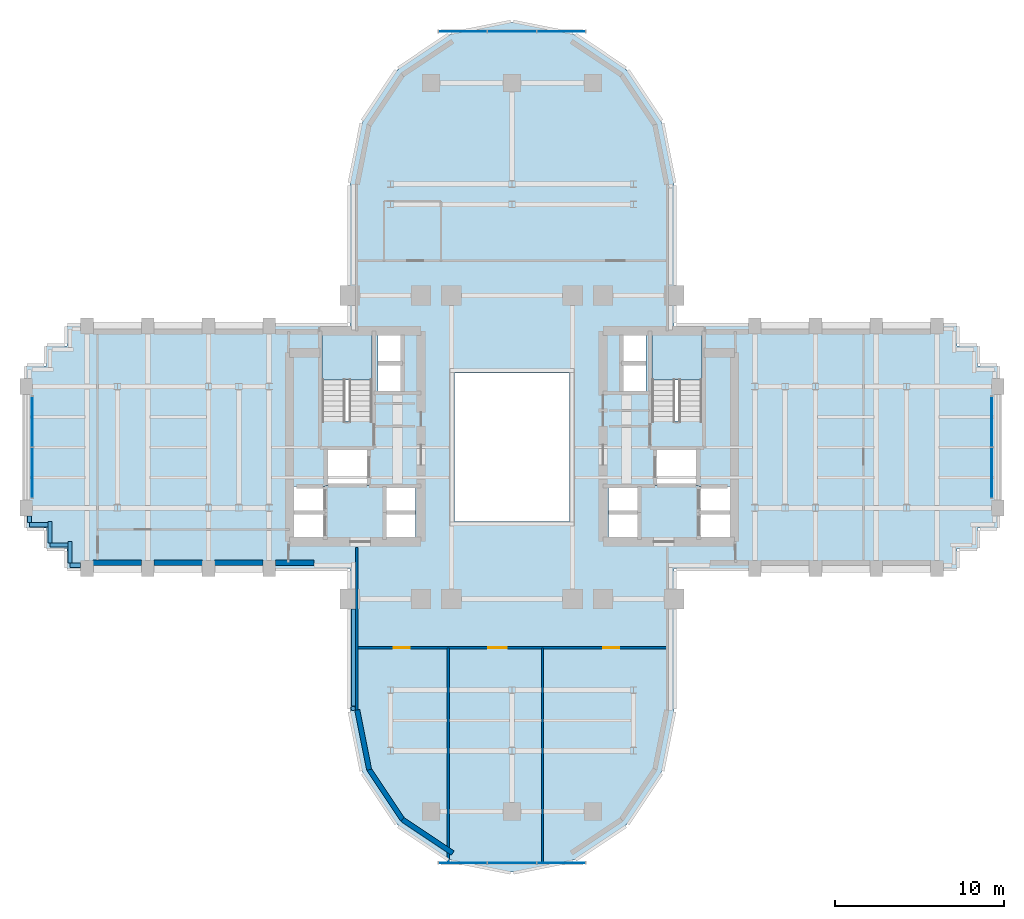
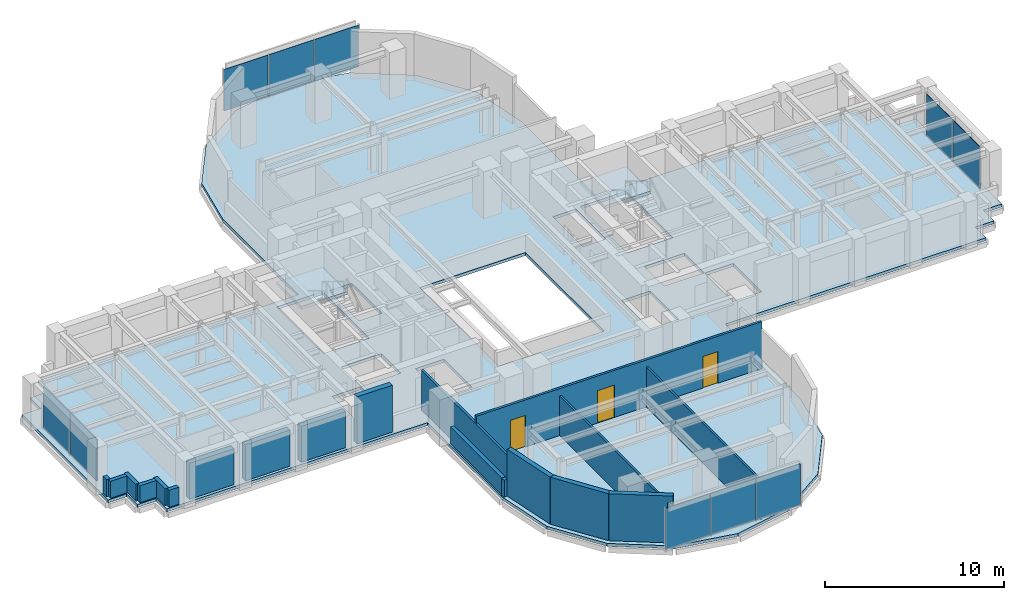
# One storey, part 9 of 16: 19 walls, 10 plates, 3 doors, 3 slabs, 3 openings, 6 elements without a shape of their own.
"""IFC4 building model written with IfcOpenShell, lengths in metres."""

from ifc_helpers import new_model, si_unit, direction, frame, frame_2d, origin, origin_2d, place, context, subcontext, project, spatial, polyline, rectangle, outline, extrude, source, transform, mapped, material, layer, layer_set, type_object, element, fill, aggregate, save


model = new_model("IFC4")

# Units and contexts
model_context = context("Model", 3, precision=1e-05, world=origin(), true_north=direction((0.0, 1.0)))
body_context = subcontext(model_context, "Body", "Model", "MODEL_VIEW")
ifc_project = project(units=[si_unit("LENGTHUNIT", "METRE"), si_unit("AREAUNIT", "SQUARE_METRE"), si_unit("VOLUMEUNIT", "CUBIC_METRE"), si_unit("PLANEANGLEUNIT", "RADIAN"), si_unit("MASSUNIT", "GRAM", prefix="KILO")], contexts=[model_context])

# Site, building, storey
site_placement = place(None, origin())
site = spatial("IfcSite", under=ifc_project, at=site_placement, CompositionType="ELEMENT")
building_placement = place(site_placement, origin())
building = spatial("IfcBuilding", under=site, at=building_placement, Name="Keilestroom Media Tower", CompositionType="ELEMENT")
storey_placement = place(building_placement, frame((0.0, 0.0, 54.39990234375)))
storey = spatial("IfcBuildingStorey", under=building, at=storey_placement, Name="L13", CompositionType="ELEMENT", Elevation=54.39990234375)

# Slab
ifc_material_1 = material(Name="Concrete C50/60", Category="concrete")
ifc_layer_1 = layer(ifc_material_1, 0.199951171875)
ifc_layer_set_1 = layer_set([ifc_layer_1], Name="Concrete C50/60")
slab_type_1 = type_object("IfcSlabType", Name="Composite-Floor-Slab-200", PredefinedType="FLOOR", material=ifc_layer_set_1)
slab_1_placement = place(storey_placement, frame((0.0, 0.0, -0.199951171875)))
element("IfcSlab", 1, at=slab_1_placement, inside=storey, type_object=slab_type_1, Name="L13 Structural Composite Floor Slab", PredefinedType="FLOOR", context=body_context, shape_type="SweptSolid", body=[
    extrude(outline(polyline([(28.800048828125, -4.800048828125), (28.800048828125, 4.800048828125), (27.60009765625, 4.800048828125), (27.60009765625, 6.0), (26.39990234375, 6.0), (26.39990234375, 7.199951171875), (9.60009765625, 7.199951171875), (9.60009765625, 9.60009765625), (9.60009765625, 15.60009765625), (8.869140625, 19.273681640625), (6.7880859375, 22.38818359375), (3.673828125, 24.46923828125), (0.0, 25.199951171875), (-3.673828125, 24.46923828125), (-6.7880859375, 22.38818359375), (-8.869140625, 19.273681640625), (-9.60009765625, 15.60009765625), (-9.60009765625, 9.60009765625), (-9.60009765625, 7.199951171875), (-26.39990234375, 7.199951171875), (-26.39990234375, 6.0), (-27.60009765625, 6.0), (-27.60009765625, 4.800048828125), (-28.800048828125, 4.800048828125), (-28.800048828125, -4.800048828125), (-27.60009765625, -4.800048828125), (-27.60009765625, -6.0), (-26.39990234375, -6.0), (-26.39990234375, -7.199951171875), (-9.60009765625, -7.199951171875), (-9.60009765625, -9.60009765625), (-9.60009765625, -15.60009765625), (-8.869140625, -19.273681640625), (-6.7880859375, -22.38818359375), (-3.673828125, -24.46923828125), (0.0, -25.199951171875), (3.673828125, -24.46923828125), (6.7880859375, -22.38818359375), (8.869140625, -19.273681640625), (9.60009765625, -15.60009765625), (9.60009765625, -9.60009765625), (9.60009765625, -7.199951171875), (26.39990234375, -7.199951171875), (26.39990234375, -6.0), (27.60009765625, -6.0), (27.60009765625, -4.800048828125), (28.800048828125, -4.800048828125)]), holes=[polyline([(-12.919921875, -5.47998046875), (-12.919921875, -2.320068359375), (-11.080078125, -2.320068359375), (-11.080078125, -5.47998046875), (-12.919921875, -5.47998046875)]), polyline([(-11.260009765625, 1.544921875), (-11.260009765625, 6.760009765625), (-8.300048828125, 6.760009765625), (-8.300048828125, 1.544921875), (-11.260009765625, 1.544921875)]), polyline([(-11.050048828125, -2.280029296875), (-11.050048828125, -0.10009765625), (-8.47998046875, -0.10009765625), (-8.47998046875, -2.280029296875), (-11.050048828125, -2.280029296875)]), polyline([(-7.949951171875, 3.300048828125), (-7.949951171875, 6.64990234375), (-6.47998046875, 6.64990234375), (-6.47998046875, 3.300048828125), (-7.949951171875, 3.300048828125)]), polyline([(-7.56005859375, -5.47998046875), (-7.56005859375, -2.320068359375), (-5.719970703125, -2.320068359375), (-5.719970703125, -5.47998046875), (-7.56005859375, -5.47998046875)]), polyline([(-3.39990234375, -4.39990234375), (-3.39990234375, 4.39990234375), (3.39990234375, 4.39990234375), (3.39990234375, -4.39990234375), (-3.39990234375, -4.39990234375)]), polyline([(5.719970703125, -5.47998046875), (5.719970703125, -2.320068359375), (7.56005859375, -2.320068359375), (7.56005859375, -5.47998046875), (5.719970703125, -5.47998046875)]), polyline([(7.949951171875, 6.64990234375), (7.949951171875, 3.300048828125), (6.47998046875, 3.300048828125), (6.47998046875, 6.64990234375), (7.949951171875, 6.64990234375)]), polyline([(8.300048828125, 6.760009765625), (11.260009765625, 6.760009765625), (11.260009765625, 1.544921875), (8.300048828125, 1.544921875), (8.300048828125, 6.760009765625)]), polyline([(8.47998046875, -2.280029296875), (8.47998046875, -0.10009765625), (11.050048828125, -0.10009765625), (11.050048828125, -2.280029296875), (8.47998046875, -2.280029296875)]), polyline([(12.919921875, -5.47998046875), (11.080078125, -5.47998046875), (11.080078125, -2.320068359375), (12.919921875, -2.320068359375), (12.919921875, -5.47998046875)])]), origin(), (0.0, 0.0, 1.0), 0.199951171875),
])

# Stair, slab
ifc_material_2 = material(Name="Concrete C45/55", Category="concrete")
stair_type = type_object("IfcStairType", Name="Enclosed-Dog-Leg-Stair-ST-CORE", PredefinedType="HALF_TURN_STAIR", material=ifc_material_2)
stair_1_placement = place(storey_placement, origin())
stair_1 = element("IfcStair", 2, at=stair_1_placement, inside=storey, type_object=stair_type, Name="L13 West Core Escape Stair ST-1", PredefinedType="HALF_TURN_STAIR")
ifc_layer_2 = layer(ifc_material_2, 0.199951171875)
ifc_layer_set_2 = layer_set([ifc_layer_2], Name="Concrete C45/55")
slab_type_2 = type_object("IfcSlabType", Name="Stair-Intermediate-And-Top-Landing-Slab-200", PredefinedType="LANDING", material=ifc_layer_set_2)
slab_2_placement = place(storey_placement, frame((0.0, 0.0, 1.5)))
slab_2 = element("IfcSlab", 3, at=slab_2_placement, type_object=slab_type_2, Name="ST-1 landing 1", PredefinedType="LANDING", context=body_context, shape_type="SweptSolid", body=[
    extrude(outline(polyline([(-8.300048828125, 3.99609375), (-8.300048828125, 6.760009765625), (-11.260009765625, 6.760009765625), (-11.260009765625, 3.99609375), (-8.300048828125, 3.99609375)])), origin(), (0.0, 0.0, 1.0), 0.2001953125),
])
aggregate(stair_1, [slab_2])

stair_2_placement = place(storey_placement, origin())
stair_2 = element("IfcStair", 4, at=stair_2_placement, inside=storey, type_object=stair_type, Name="L13 East Core Escape Stair ST-2", PredefinedType="HALF_TURN_STAIR")
slab_3_placement = place(storey_placement, frame((0.0, 0.0, 1.5)))
slab_3 = element("IfcSlab", 5, at=slab_3_placement, type_object=slab_type_2, Name="ST-2 landing 1", PredefinedType="LANDING", context=body_context, shape_type="SweptSolid", body=[
    extrude(outline(polyline([(11.260009765625, 3.99609375), (11.260009765625, 6.760009765625), (8.300048828125, 6.760009765625), (8.300048828125, 3.99609375), (11.260009765625, 3.99609375)])), origin(), (0.0, 0.0, 1.0), 0.2001953125),
])
aggregate(stair_2, [slab_3])

# Curtain wall, plates
ifc_material_3 = material(Name="Anodised Aluminium Alloy", Category="aluminium")
curtain_wall_type_1 = type_object("IfcCurtainWallType", Name="Unitised-Curtain-Wall-CW-1", PredefinedType="NOTDEFINED", material=ifc_material_3)
curtain_wall_1_placement = place(storey_placement, origin())
curtain_wall_1 = element("IfcCurtainWall", 6, at=curtain_wall_1_placement, inside=storey, type_object=curtain_wall_type_1, Name="L13 Curtain Wall CW-1 CW-L13-W-1", PredefinedType="NOTDEFINED")
ifc_material_4 = material(Name="Double Glazed Low-E Unit", Category="glass")
ifc_layer_3 = layer(ifc_material_4, 0.0439453125)
ifc_layer_set_3 = layer_set([ifc_layer_3], Name="Double Glazed Low-E Unit")
plate_type_1 = type_object("IfcPlateType", Name="Insulated-Curtain-Wall-Glazing-Panel-CW-1", PredefinedType="CURTAIN_PANEL", material=ifc_layer_set_3)
shared_shape_1 = source(origin(), body_context, "Body", "SweptSolid", [
    extrude(rectangle(XDim=2.968017578125, YDim=0.0439453125, at=origin_2d()), origin(), (0.0, 0.0, 1.0), 2.833984375),
])
plate_1_placement = place(storey_placement, frame((-28.449951171875, -1.514892578125, 0.072998046875), z_axis=(0.0, 0.0, 1.0), x_axis=(0.0, 1.0, 0.0)))
plate_1 = element("IfcPlate", 7, at=plate_1_placement, type_object=plate_type_1, Name="CW-1 Unitised Glazing 00", PredefinedType="CURTAIN_PANEL", context=body_context, shape_type="MappedRepresentation", body=[
    mapped(shared_shape_1, transform((0.0, 0.0, 0.0), x_axis=(1.0, 0.0, 0.0), y_axis=(0.0, 1.0, 0.0), z_axis=(0.0, 0.0, 1.0), scale=1.0)),
])
plate_2_placement = place(storey_placement, frame((-28.449951171875, 1.514892578125, 0.072998046875), z_axis=(0.0, 0.0, 1.0), x_axis=(0.0, 1.0, 0.0)))
plate_2 = element("IfcPlate", 8, at=plate_2_placement, type_object=plate_type_1, Name="CW-1 Unitised Glazing 01", PredefinedType="CURTAIN_PANEL", context=body_context, shape_type="MappedRepresentation", body=[
    mapped(shared_shape_1, transform((0.0, 0.0, 0.0), x_axis=(1.0, 0.0, 0.0), y_axis=(0.0, 1.0, 0.0), z_axis=(0.0, 0.0, 1.0), scale=1.0)),
])
aggregate(curtain_wall_1, [plate_1, plate_2])

curtain_wall_2_placement = place(storey_placement, origin())
curtain_wall_2 = element("IfcCurtainWall", 9, at=curtain_wall_2_placement, inside=storey, type_object=curtain_wall_type_1, Name="L13 Curtain Wall CW-1 CW-L13-E-1", PredefinedType="NOTDEFINED")
plate_3_placement = place(storey_placement, frame((28.449951171875, -1.514892578125, 0.072998046875), z_axis=(0.0, 0.0, 1.0), x_axis=(0.0, 1.0, 0.0)))
plate_3 = element("IfcPlate", 10, at=plate_3_placement, type_object=plate_type_1, Name="CW-1 Unitised Glazing 00", PredefinedType="CURTAIN_PANEL", context=body_context, shape_type="MappedRepresentation", body=[
    mapped(shared_shape_1, transform((0.0, 0.0, 0.0), x_axis=(1.0, 0.0, 0.0), y_axis=(0.0, 1.0, 0.0), z_axis=(0.0, 0.0, 1.0), scale=1.0)),
])
plate_4_placement = place(storey_placement, frame((28.449951171875, 1.514892578125, 0.072998046875), z_axis=(0.0, 0.0, 1.0), x_axis=(0.0, 1.0, 0.0)))
plate_4 = element("IfcPlate", 11, at=plate_4_placement, type_object=plate_type_1, Name="CW-1 Unitised Glazing 01", PredefinedType="CURTAIN_PANEL", context=body_context, shape_type="MappedRepresentation", body=[
    mapped(shared_shape_1, transform((0.0, 0.0, 0.0), x_axis=(1.0, 0.0, 0.0), y_axis=(0.0, 1.0, 0.0), z_axis=(0.0, 0.0, 1.0), scale=1.0)),
])
aggregate(curtain_wall_2, [plate_3, plate_4])

curtain_wall_type_2 = type_object("IfcCurtainWallType", Name="Unitised-Curtain-Wall-CW-6", PredefinedType="NOTDEFINED", material=ifc_material_3)
curtain_wall_3_placement = place(storey_placement, origin())
curtain_wall_3 = element("IfcCurtainWall", 12, at=curtain_wall_3_placement, inside=storey, type_object=curtain_wall_type_2, Name="L13 Curtain Wall CW-6 CW-L13-LN-1", PredefinedType="NOTDEFINED")
ifc_material_5 = material(Name="Curved-Facet Triple Glazed Unit", Category="glass")
ifc_layer_4 = layer(ifc_material_5, 0.033935546875)
ifc_layer_set_4 = layer_set([ifc_layer_4], Name="Curved-Facet Triple Glazed Unit")
plate_type_2 = type_object("IfcPlateType", Name="Insulated-Curtain-Wall-Glazing-Panel-CW-6", PredefinedType="CURTAIN_PANEL", material=ifc_layer_set_4)
shared_shape_2 = source(origin(), body_context, "Body", "SweptSolid", [
    extrude(rectangle(XDim=2.84375, YDim=0.033935546875, at=origin_2d()), origin(), (0.0, 0.0, 1.0), 2.833984375),
])
plate_5_placement = place(storey_placement, frame((-2.9169921875, 24.64990234375, 0.072998046875), z_axis=(0.0, 0.0, 1.0), x_axis=(1.0, 0.0, 0.0)))
plate_5 = element("IfcPlate", 13, at=plate_5_placement, type_object=plate_type_2, Name="CW-6 Unitised Glazing 00", PredefinedType="CURTAIN_PANEL", context=body_context, shape_type="MappedRepresentation", body=[
    mapped(shared_shape_2, transform((0.0, 0.0, 0.0), x_axis=(1.0, 0.0, 0.0), y_axis=(0.0, 1.0, 0.0), z_axis=(0.0, 0.0, 1.0), scale=1.0)),
])
plate_6_placement = place(storey_placement, frame((2.9169921875, 24.64990234375, 0.072998046875), z_axis=(0.0, 0.0, 1.0), x_axis=(1.0, 0.0, 0.0)))
plate_6 = element("IfcPlate", 14, at=plate_6_placement, type_object=plate_type_2, Name="CW-6 Unitised Glazing 02", PredefinedType="CURTAIN_PANEL", context=body_context, shape_type="MappedRepresentation", body=[
    mapped(shared_shape_2, transform((0.0, 0.0, 0.0), x_axis=(1.0, 0.0, 0.0), y_axis=(0.0, 1.0, 0.0), z_axis=(0.0, 0.0, 1.0), scale=1.0)),
])

curtain_wall_4_placement = place(storey_placement, origin())
curtain_wall_4 = element("IfcCurtainWall", 15, at=curtain_wall_4_placement, inside=storey, type_object=curtain_wall_type_2, Name="L13 Curtain Wall CW-6 CW-L13-LS-1", PredefinedType="NOTDEFINED")
plate_7_placement = place(storey_placement, frame((-2.9169921875, -24.64990234375, 0.072998046875), z_axis=(0.0, 0.0, 1.0), x_axis=(1.0, 0.0, 0.0)))
plate_7 = element("IfcPlate", 16, at=plate_7_placement, type_object=plate_type_2, Name="CW-6 Unitised Glazing 00", PredefinedType="CURTAIN_PANEL", context=body_context, shape_type="MappedRepresentation", body=[
    mapped(shared_shape_2, transform((0.0, 0.0, 0.0), x_axis=(1.0, 0.0, 0.0), y_axis=(0.0, 1.0, 0.0), z_axis=(0.0, 0.0, 1.0), scale=1.0)),
])
plate_8_placement = place(storey_placement, frame((2.9169921875, -24.64990234375, 0.072998046875), z_axis=(0.0, 0.0, 1.0), x_axis=(1.0, 0.0, 0.0)))
plate_8 = element("IfcPlate", 17, at=plate_8_placement, type_object=plate_type_2, Name="CW-6 Unitised Glazing 02", PredefinedType="CURTAIN_PANEL", context=body_context, shape_type="MappedRepresentation", body=[
    mapped(shared_shape_2, transform((0.0, 0.0, 0.0), x_axis=(1.0, 0.0, 0.0), y_axis=(0.0, 1.0, 0.0), z_axis=(0.0, 0.0, 1.0), scale=1.0)),
])

# Plate
shared_shape_3 = source(origin(), body_context, "Body", "SweptSolid", [
    extrude(rectangle(XDim=2.876220703125, YDim=0.033935546875, at=origin_2d()), origin(), (0.0, 0.0, 1.0), 2.833984375),
])
plate_9_placement = place(storey_placement, frame((0.0, 24.64990234375, 0.072998046875), z_axis=(0.0, 0.0, 1.0), x_axis=(1.0, 0.0, 0.0)))
plate_9 = element("IfcPlate", 18, at=plate_9_placement, type_object=plate_type_2, Name="CW-6 Unitised Glazing 01", PredefinedType="CURTAIN_PANEL", context=body_context, shape_type="MappedRepresentation", body=[
    mapped(shared_shape_3, transform((0.0, 0.0, 0.0), x_axis=(1.0, 0.0, 0.0), y_axis=(0.0, 1.0, 0.0), z_axis=(0.0, 0.0, 1.0), scale=1.0)),
])

aggregate(curtain_wall_3, [plate_5, plate_9, plate_6])

plate_10_placement = place(storey_placement, frame((0.0, -24.64990234375, 0.072998046875), z_axis=(0.0, 0.0, 1.0), x_axis=(1.0, 0.0, 0.0)))
plate_10 = element("IfcPlate", 19, at=plate_10_placement, type_object=plate_type_2, Name="CW-6 Unitised Glazing 01", PredefinedType="CURTAIN_PANEL", context=body_context, shape_type="MappedRepresentation", body=[
    mapped(shared_shape_3, transform((0.0, 0.0, 0.0), x_axis=(1.0, 0.0, 0.0), y_axis=(0.0, 1.0, 0.0), z_axis=(0.0, 0.0, 1.0), scale=1.0)),
])

aggregate(curtain_wall_4, [plate_7, plate_10, plate_8])

# Walls
ifc_material_6 = material(Name="Precast concrete C40/50", Category="concrete")
ifc_layer_5 = layer(ifc_material_6, 0.300048828125)
ifc_layer_set_5 = layer_set([ifc_layer_5], Name="Precast concrete C40/50")
wall_type_1 = type_object("IfcWallType", Name="Exterior-Masonry-Spandrel-Wall-300", PredefinedType="SOLIDWALL", material=ifc_layer_set_5)
for number, where, z_axis, x_axis, name in (
    (20, (-9.1748046875, -15.585205078125, 0.0), (0.0, 0.0, 1.0), (0.195114232679, -0.980780523974, 0.0), "L13 Lobe Facet Precast Frame Wall 07"),
    (21, (-8.48193359375, -19.097412109375, 0.0), (0.0, 0.0, 1.0), (0.555574187116, -0.831466970246, 0.0), "L13 Lobe Facet Precast Frame Wall 08"),
):
    element("IfcWall", number, at=place(storey_placement, frame(where, z_axis=z_axis, x_axis=x_axis)), inside=storey, type_object=wall_type_1, Name=name, PredefinedType="SOLIDWALL", context=body_context, shape_type="SweptSolid", body=[
        extrude(rectangle(XDim=3.608642578125, YDim=0.300048828125, at=frame_2d((1.80419921875, 0.0))), origin(), (0.0, 0.0, 1.0), 3.2001953125),
    ])
wall_1_placement = place(storey_placement, frame((-6.497802734375, -22.0771484375, 0.0), z_axis=(0.0, 0.0, 1.0), x_axis=(0.8314749531, -0.555562239868, 0.0)))
element("IfcWall", 22, at=wall_1_placement, inside=storey, type_object=wall_type_1, Name="L13 Lobe Facet Precast Frame Wall 09", PredefinedType="SOLIDWALL", context=body_context, shape_type="SweptSolid", body=[
    extrude(rectangle(XDim=3.59326171875, YDim=0.300048828125, at=frame_2d((1.796630859375, 0.0))), origin(), (0.0, 0.0, 1.0), 3.2001953125),
])
ifc_layer_6 = layer(ifc_material_6, 0.340087890625)
ifc_layer_set_6 = layer_set([ifc_layer_6], Name="Precast concrete C40/50")
wall_type_2 = type_object("IfcWallType", Name="Exterior-Masonry-Spandrel-Wall-340", PredefinedType="SOLIDWALL", material=ifc_layer_set_6)
for number, where, z_axis, x_axis, name in (
    (23, (-24.8330078125, -6.85009765625, 0.0), (0.0, 0.0, 1.0), (1.0, 0.0, 0.0), "L13 Flank Masonry Wall EWL-L13-SW-1"),
    (24, (-21.23291015625, -6.85009765625, 0.0), (0.0, 0.0, 1.0), (1.0, 0.0, 0.0), "L13 Flank Masonry Wall EWL-L13-SW-2"),
    (25, (-17.633056640625, -6.85009765625, 0.0), (0.0, 0.0, 1.0), (1.0, 0.0, 0.0), "L13 Flank Masonry Wall EWL-L13-SW-3"),
):
    element("IfcWall", number, at=place(storey_placement, frame(where, z_axis=z_axis, x_axis=x_axis)), inside=storey, type_object=wall_type_2, Name=name, PredefinedType="SOLIDWALL", context=body_context, shape_type="SweptSolid", body=[
        extrude(rectangle(XDim=2.865966796875, YDim=0.340087890625, at=frame_2d((1.43310546875, 0.0))), origin(), (0.0, 0.0, 1.0), 2.4501953125),
    ])
wall_2_placement = place(storey_placement, frame((-14.032958984375, -6.85009765625, 0.0), z_axis=(0.0, 0.0, 1.0), x_axis=(1.0, 0.0, 0.0)))
element("IfcWall", 26, at=wall_2_placement, inside=storey, type_object=wall_type_2, Name="L13 Flank Masonry Wall EWL-L13-SW-4", PredefinedType="SOLIDWALL", context=body_context, shape_type="SweptSolid", body=[
    extrude(rectangle(XDim=2.282958984375, YDim=0.340087890625, at=frame_2d((1.1416015625, 0.0))), origin(), (0.0, 0.0, 1.0), 3.2001953125),
])
ifc_material_7 = material(Name="Gypsum Plasterboard & Steel Stud", Category="steel")
ifc_layer_7 = layer(ifc_material_7, 0.1201171875)
ifc_layer_set_7 = layer_set([ifc_layer_7], Name="Gypsum Plasterboard & Steel Stud")
wall_type_3 = type_object("IfcWallType", Name="Interior-Partition-Wall-120", PredefinedType="PARTITIONING", material=ifc_layer_set_7)
for number, where, z_axis, x_axis, name in (
    (27, (-3.780029296875, -24.64990234375, 0.0), (0.0, 0.0, 1.0), (0.0, 1.0, 0.0), "L13 Interior Wall WP-L13-SL-V1"),
    (28, (1.800048828125, -24.64990234375, 0.0), (0.0, 0.0, 1.0), (0.0, 1.0, 0.0), "L13 Interior Wall WP-L13-SL-V2"),
):
    element("IfcWall", number, at=place(storey_placement, frame(where, z_axis=z_axis, x_axis=x_axis)), inside=storey, type_object=wall_type_3, Name=name, PredefinedType="PARTITIONING", context=body_context, shape_type="SweptSolid", body=[
        extrude(rectangle(XDim=12.75, YDim=0.1201171875, at=frame_2d((6.375, 0.0))), origin(), (0.0, 0.0, 1.0), 2.710205078125),
    ])

# Wall, openings, doors
ifc_layer_8 = layer(ifc_material_7, 0.14990234375)
ifc_layer_set_8 = layer_set([ifc_layer_8], Name="Gypsum Plasterboard & Steel Stud")
wall_type_4 = type_object("IfcWallType", Name="Interior-Partition-Wall-150", PredefinedType="PARTITIONING", material=ifc_layer_set_8)
wall_3_placement = place(storey_placement, frame((-9.199951171875, -11.89990234375, 0.0), z_axis=(0.0, 0.0, 1.0), x_axis=(1.0, 0.0, 0.0)))
wall_3 = element("IfcWall", 29, at=wall_3_placement, inside=storey, type_object=wall_type_4, Name="L13 Interior Wall WP-L13-SL-BASE", PredefinedType="PARTITIONING", context=body_context, shape_type="SweptSolid", body=[
    extrude(rectangle(XDim=18.39990234375, YDim=0.14990234375, at=frame_2d((9.199951171875, 0.0))), origin(), (0.0, 0.0, 1.0), 3.2001953125),
])
opening_1_placement = place(wall_3_placement, frame((2.199951171875, 0.0, 0.0)))
opening_1 = element("IfcOpeningElement", 30, at=opening_1_placement, cuts=wall_3, Name="Opening DI-03", PredefinedType="OPENING", context=body_context, shape_type="SweptSolid", body=[
    extrude(rectangle(XDim=0.949951171875, YDim=2.14990234375, at=frame_2d((0.47509765625, 1.074951171875))), frame((0.0, 0.0849609375, 0.0), z_axis=(0.0, -1.0, 0.0), x_axis=(1.0, 0.0, 0.0)), (0.0, 0.0, 1.0), 0.169921875),
])
opening_2_placement = place(wall_3_placement, frame((7.800048828125, 0.0, 0.0)))
opening_2 = element("IfcOpeningElement", 31, at=opening_2_placement, cuts=wall_3, Name="Opening DI-04", PredefinedType="OPENING", context=body_context, shape_type="SweptSolid", body=[
    extrude(rectangle(XDim=1.10009765625, YDim=2.199951171875, at=frame_2d((0.550048828125, 1.10009765625))), frame((0.0, 0.0849609375, 0.0), z_axis=(0.0, -1.0, 0.0), x_axis=(1.0, 0.0, 0.0)), (0.0, 0.0, 1.0), 0.169921875),
])
opening_3_placement = place(wall_3_placement, frame((14.60009765625, 0.0, 0.0)))
opening_3 = element("IfcOpeningElement", 32, at=opening_3_placement, cuts=wall_3, Name="Opening DI-03", PredefinedType="OPENING", context=body_context, shape_type="SweptSolid", body=[
    extrude(rectangle(XDim=0.949951171875, YDim=2.14990234375, at=frame_2d((0.47509765625, 1.074951171875))), frame((0.0, 0.0849609375, 0.0), z_axis=(0.0, -1.0, 0.0), x_axis=(1.0, 0.0, 0.0)), (0.0, 0.0, 1.0), 0.169921875),
])
ifc_material_8 = material(Name="Lacquered European Oak Leaf", Category="wood")
door_type_1 = type_object("IfcDoorType", Name="Interior-Room-And-Suite-Door-DI-03", OperationType="NOTDEFINED", PredefinedType="DOOR", material=ifc_material_8)
shared_shape_4 = source(origin(), body_context, "Body", "SweptSolid", [
    extrude(rectangle(XDim=0.949951171875, YDim=2.14990234375, at=frame_2d((0.47509765625, 1.074951171875))), frame((0.0, 0.02490234375, 0.0), z_axis=(0.0, -1.0, 0.0), x_axis=(1.0, 0.0, 0.0)), (0.0, 0.0, 1.0), 0.050048828125),
])
door_1_placement = place(opening_1_placement, origin())
door_1 = element("IfcDoor", 33, at=door_1_placement, inside=storey, type_object=door_type_1, Name="L13 Interior Door DI-L13-DSL-1", OperationType="SINGLE_SWING_LEFT", OverallHeight=2.14990234375, OverallWidth=0.949951171875, PredefinedType="DOOR", context=body_context, shape_type="MappedRepresentation", body=[
    mapped(shared_shape_4, transform((0.0, 0.0, 0.0), x_axis=(1.0, 0.0, 0.0), y_axis=(0.0, 1.0, 0.0), z_axis=(0.0, 0.0, 1.0), scale=1.0)),
])
fill(opening_1, door_1)
door_2_placement = place(opening_3_placement, origin())
door_2 = element("IfcDoor", 34, at=door_2_placement, inside=storey, type_object=door_type_1, Name="L13 Interior Door DI-L13-DSL-3", OperationType="SINGLE_SWING_LEFT", OverallHeight=2.14990234375, OverallWidth=0.949951171875, PredefinedType="DOOR", context=body_context, shape_type="MappedRepresentation", body=[
    mapped(shared_shape_4, transform((0.0, 0.0, 0.0), x_axis=(1.0, 0.0, 0.0), y_axis=(0.0, 1.0, 0.0), z_axis=(0.0, 0.0, 1.0), scale=1.0)),
])
fill(opening_3, door_2)
ifc_material_9 = material(Name="Acoustic Glazed Aluminium Leaf", Category="aluminium")
door_type_2 = type_object("IfcDoorType", Name="Interior-Room-And-Suite-Door-DI-04", OperationType="NOTDEFINED", PredefinedType="DOOR", material=ifc_material_9)
shared_shape_5 = source(origin(), body_context, "Body", "SweptSolid", [
    extrude(rectangle(XDim=1.10009765625, YDim=2.199951171875, at=frame_2d((0.550048828125, 1.10009765625))), frame((0.0, 0.02490234375, 0.0), z_axis=(0.0, -1.0, 0.0), x_axis=(1.0, 0.0, 0.0)), (0.0, 0.0, 1.0), 0.050048828125),
])
door_3_placement = place(opening_2_placement, origin())
door_3 = element("IfcDoor", 35, at=door_3_placement, inside=storey, type_object=door_type_2, Name="L13 Interior Door DI-L13-DSL-2", OperationType="SINGLE_SWING_RIGHT", OverallHeight=2.199951171875, OverallWidth=1.10009765625, PredefinedType="DOOR", context=body_context, shape_type="MappedRepresentation", body=[
    mapped(shared_shape_5, transform((0.0, 0.0, 0.0), x_axis=(1.0, 0.0, 0.0), y_axis=(0.0, 1.0, 0.0), z_axis=(0.0, 0.0, 1.0), scale=1.0)),
])
fill(opening_2, door_3)

# Walls
wall_4_placement = place(storey_placement, frame((-9.199951171875, -15.679931640625, 0.0), z_axis=(0.0, 0.0, 1.0), x_axis=(0.0, 1.0, 0.0)))
element("IfcWall", 36, at=wall_4_placement, inside=storey, type_object=wall_type_4, Name="L13 Interior Wall WP-L13-SL-CHKW", PredefinedType="PARTITIONING", context=body_context, shape_type="SweptSolid", body=[
    extrude(rectangle(XDim=9.739990234375, YDim=0.14990234375, at=frame_2d((4.8701171875, 0.0))), origin(), (0.0, 0.0, 1.0), 2.710205078125),
])
ifc_layer_9 = layer(ifc_material_6, 0.239990234375)
ifc_layer_set_9 = layer_set([ifc_layer_9], Name="Precast concrete C40/50")
wall_type_5 = type_object("IfcWallType", Name="Roof-And-Terrace-Parapet-Wall-240", PredefinedType="PARAPET", material=ifc_layer_set_9)
wall_5_placement = place(storey_placement, frame((-9.395263671875, -15.604248046875, 0.0), z_axis=(0.0, 0.0, 1.0), x_axis=(-0.194652052864, 0.980872355771, 0.0)))
element("IfcWall", 37, at=wall_5_placement, inside=storey, type_object=wall_type_5, Name="L13 Perimeter Edge Parapet Wall 09", PredefinedType="PARAPET", context=body_context, shape_type="SweptSolid", body=[
    extrude(rectangle(XDim=0.224609375, YDim=0.239990234375, at=frame_2d((0.1123046875, 0.0))), origin(), (0.0, 0.0, 1.0), 1.150146484375),
])
wall_6_placement = place(storey_placement, frame((-9.39990234375, -15.357666015625, 0.0), z_axis=(0.0, 0.0, 1.0), x_axis=(0.0, 1.0, 0.0)))
element("IfcWall", 38, at=wall_6_placement, inside=storey, type_object=wall_type_5, Name="L13 Perimeter Edge Parapet Wall 10", PredefinedType="PARAPET", context=body_context, shape_type="SweptSolid", body=[
    extrude(rectangle(XDim=5.754638671875, YDim=0.239990234375, at=frame_2d((2.87744140625, 0.0))), origin(), (0.0, 0.0, 1.0), 1.150146484375),
])
wall_7_placement = place(storey_placement, frame((-25.577880859375, -7.0, 0.0), z_axis=(0.0, 0.0, 1.0), x_axis=(-1.0, 0.0, 0.0)))
element("IfcWall", 39, at=wall_7_placement, inside=storey, type_object=wall_type_5, Name="L13 Perimeter Edge Parapet Wall 13", PredefinedType="PARAPET", context=body_context, shape_type="SweptSolid", body=[
    extrude(rectangle(XDim=0.6220703125, YDim=0.239990234375, at=frame_2d((0.31103515625, 0.0))), origin(), (0.0, 0.0, 1.0), 1.150146484375),
])
wall_8_placement = place(storey_placement, frame((-26.199951171875, -6.876953125, 0.0), z_axis=(0.0, 0.0, 1.0), x_axis=(0.0, 1.0, 0.0)))
element("IfcWall", 40, at=wall_8_placement, inside=storey, type_object=wall_type_5, Name="L13 Perimeter Edge Parapet Wall 14", PredefinedType="PARAPET", context=body_context, shape_type="SweptSolid", body=[
    extrude(rectangle(XDim=1.27685546875, YDim=0.239990234375, at=frame_2d((0.638427734375, 0.0))), origin(), (0.0, 0.0, 1.0), 1.150146484375),
])
wall_9_placement = place(storey_placement, frame((-26.322998046875, -5.800048828125, 0.0), z_axis=(0.0, 0.0, 1.0), x_axis=(-1.0, 0.0, 0.0)))
element("IfcWall", 41, at=wall_9_placement, inside=storey, type_object=wall_type_5, Name="L13 Perimeter Edge Parapet Wall 15", PredefinedType="PARAPET", context=body_context, shape_type="SweptSolid", body=[
    extrude(rectangle(XDim=1.076904296875, YDim=0.239990234375, at=frame_2d((0.53857421875, 0.0))), origin(), (0.0, 0.0, 1.0), 1.150146484375),
])
wall_10_placement = place(storey_placement, frame((-27.39990234375, -5.677001953125, 0.0), z_axis=(0.0, 0.0, 1.0), x_axis=(0.0, 1.0, 0.0)))
element("IfcWall", 42, at=wall_10_placement, inside=storey, type_object=wall_type_5, Name="L13 Perimeter Edge Parapet Wall 16", PredefinedType="PARAPET", context=body_context, shape_type="SweptSolid", body=[
    extrude(rectangle(XDim=1.277099609375, YDim=0.239990234375, at=frame_2d((0.638671875, 0.0))), origin(), (0.0, 0.0, 1.0), 1.150146484375),
])
wall_11_placement = place(storey_placement, frame((-27.52294921875, -4.60009765625, 0.0), z_axis=(0.0, 0.0, 1.0), x_axis=(-1.0, 0.0, 0.0)))
element("IfcWall", 43, at=wall_11_placement, inside=storey, type_object=wall_type_5, Name="L13 Perimeter Edge Parapet Wall 17", PredefinedType="PARAPET", context=body_context, shape_type="SweptSolid", body=[
    extrude(rectangle(XDim=1.0771484375, YDim=0.239990234375, at=frame_2d((0.53857421875, 0.0))), origin(), (0.0, 0.0, 1.0), 1.150146484375),
])
wall_12_placement = place(storey_placement, frame((-28.60009765625, -4.47705078125, 0.0), z_axis=(0.0, 0.0, 1.0), x_axis=(0.0, 1.0, 0.0)))
element("IfcWall", 44, at=wall_12_placement, inside=storey, type_object=wall_type_5, Name="L13 Perimeter Edge Parapet Wall 18", PredefinedType="PARAPET", context=body_context, shape_type="SweptSolid", body=[
    extrude(rectangle(XDim=0.399169921875, YDim=0.239990234375, at=frame_2d((0.19970703125, 0.0))), origin(), (0.0, 0.0, 1.0), 1.150146484375),
])

save(model, "model.ifc")
